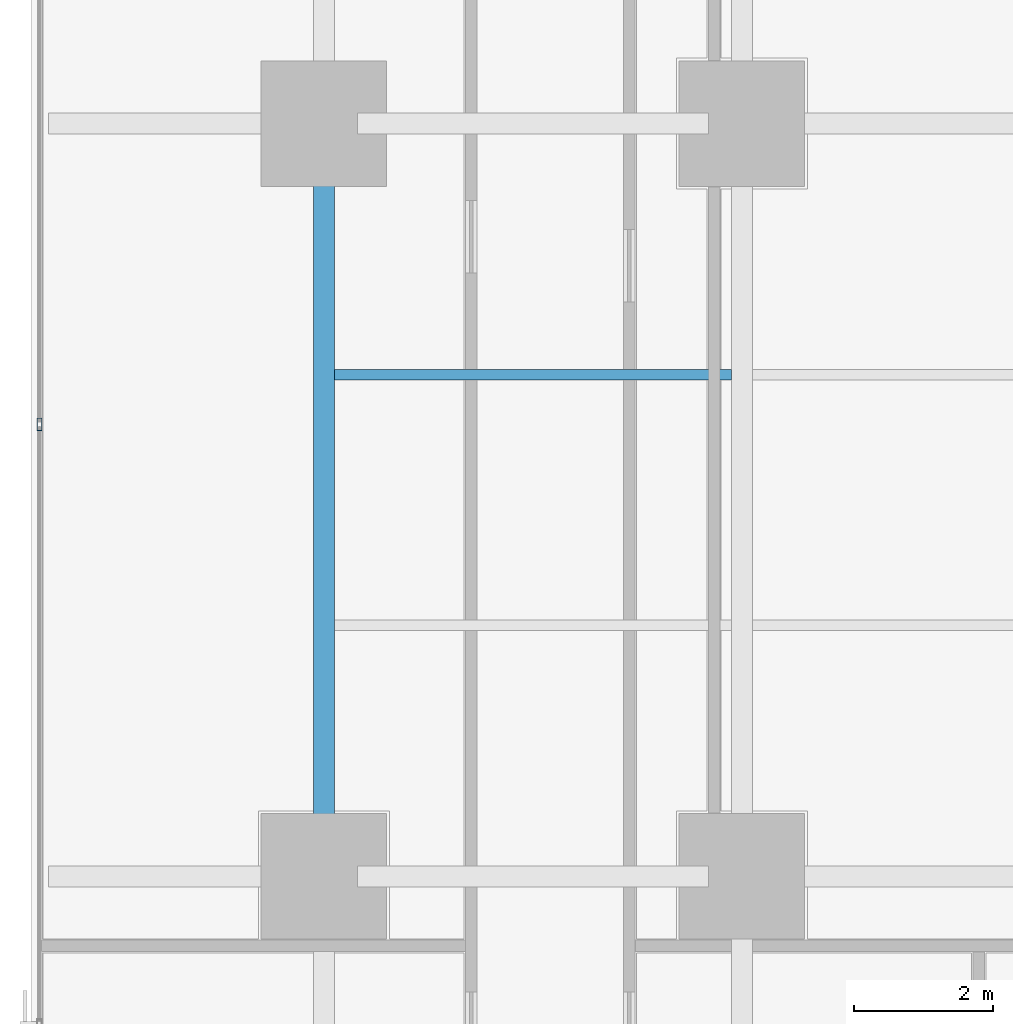
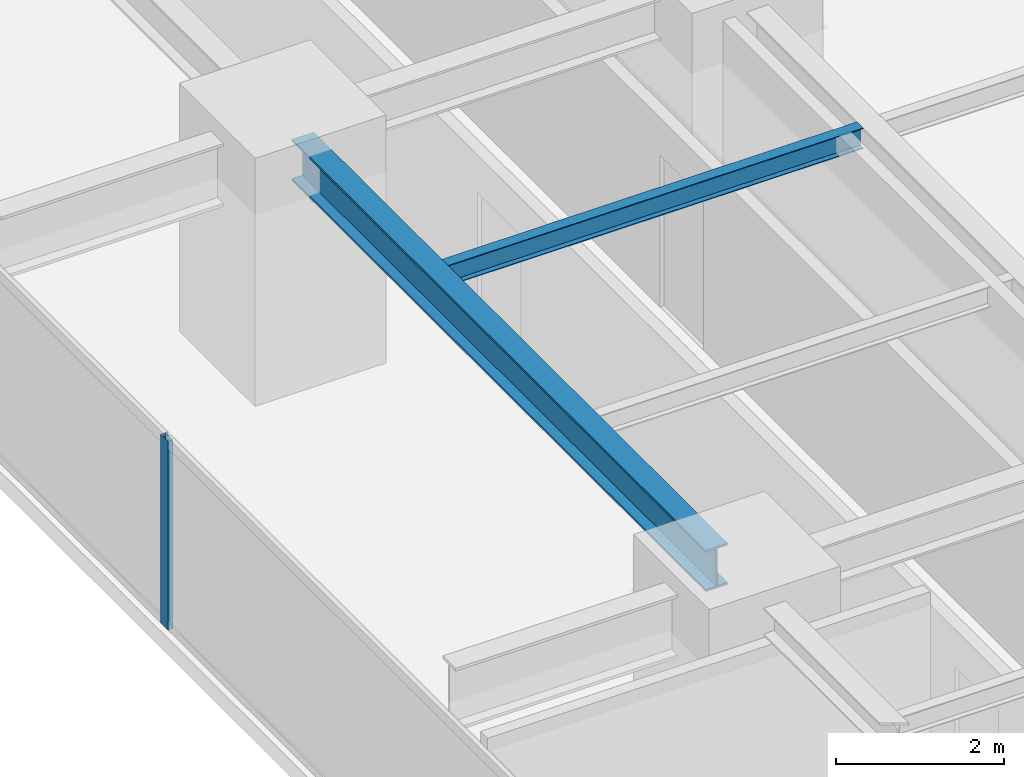
# One storey, part 7 of 34: 2 beams, 1 member, 1 element without a shape of its own.
"""IFC4 building model written with IfcOpenShell, lengths in metres."""

from ifc_helpers import new_model, si_unit, direction, frame, origin, origin_2d, place, context, subcontext, project, spatial, hollow_rectangle, i_section, extrude, source, transform, mapped, material, layer, layer_set, material_profile, profile_set, type_object, element, aggregate, save


model = new_model("IFC4")

# Units and contexts
model_context = context("Model", 3, precision=1e-05, world=origin(), true_north=direction((0.0, 1.0)))
body_context = subcontext(model_context, "Body", "Model", "MODEL_VIEW")
ifc_project = project(units=[si_unit("LENGTHUNIT", "METRE"), si_unit("AREAUNIT", "SQUARE_METRE"), si_unit("VOLUMEUNIT", "CUBIC_METRE"), si_unit("PLANEANGLEUNIT", "RADIAN"), si_unit("MASSUNIT", "GRAM", prefix="KILO")], contexts=[model_context])

# Site, building, storey
site_placement = place(None, origin())
site = spatial("IfcSite", under=ifc_project, at=site_placement, CompositionType="ELEMENT")
building_placement = place(site_placement, origin())
building = spatial("IfcBuilding", under=site, at=building_placement, Name="Sumidabori Civic Tower", CompositionType="ELEMENT")
storey_placement = place(building_placement, frame((0.0, 0.0, 56.0)))
storey = spatial("IfcBuildingStorey", under=building, at=storey_placement, Name="L14", CompositionType="ELEMENT", Elevation=56.0)

# Beams
ifc_material_1 = material(Name="Steel SN490", Category="steel")
ifc_material_profile_1 = material_profile(ifc_material_1, i_section(OverallWidth=0.300048828125, OverallDepth=0.60009765625, WebThickness=0.015380859375, FlangeThickness=0.030029296875, at=origin_2d()), Name="HE 600 B")
ifc_profile_set_1 = profile_set([ifc_material_profile_1], Name="Steel SN490")
beam_type_1 = type_object("IfcBeamType", Name="BM-GIRD-600", PredefinedType="BEAM", material=ifc_profile_set_1)
shared_shape_1 = source(origin(), body_context, "Body", "SweptSolid", [
    extrude(i_section(OverallWidth=0.300048828125, OverallDepth=0.60009765625, WebThickness=0.015380859375, FlangeThickness=0.030029296875, at=origin_2d()), origin(), (0.0, 0.0, 1.0), 9.840087890625),
])
beam_1_placement = place(storey_placement, frame((-22.800048828125, -10.320068359375, 3.06005859375), z_axis=(0.0, 1.0, 0.0), x_axis=(-1.0, 0.0, 0.0)))
element("IfcBeam", 1, at=beam_1_placement, inside=storey, type_object=beam_type_1, Name="Primary Girder L14 GY-22", PredefinedType="BEAM", context=body_context, shape_type="MappedRepresentation", body=[
    mapped(shared_shape_1, transform((0.0, 0.0, 0.0), x_axis=(1.0, 0.0, 0.0), y_axis=(0.0, 1.0, 0.0), z_axis=(0.0, 0.0, 1.0), scale=1.0)),
])
ifc_material_profile_2 = material_profile(ifc_material_1, i_section(OverallWidth=0.14990234375, OverallDepth=0.300048828125, WebThickness=0.007080078125, FlangeThickness=0.0107421875, at=origin_2d()), Name="IPE 300")
ifc_profile_set_2 = profile_set([ifc_material_profile_2], Name="Steel SN490")
beam_type_2 = type_object("IfcBeamType", Name="BM-JST-300", PredefinedType="JOIST", material=ifc_profile_set_2)
shared_shape_2 = source(origin(), body_context, "Body", "SweptSolid", [
    extrude(i_section(OverallWidth=0.14990234375, OverallDepth=0.300048828125, WebThickness=0.007080078125, FlangeThickness=0.0107421875, at=origin_2d()), origin(), (0.0, 0.0, 1.0), 5.699951171875),
])
beam_2_placement = place(storey_placement, frame((-22.64990234375, -3.60009765625, 3.2099609375), z_axis=(1.0, 0.0, 0.0), x_axis=(0.0, 1.0, 0.0)))
element("IfcBeam", 2, at=beam_2_placement, inside=storey, type_object=beam_type_2, Name="Outer Bay Floor Joist L14 JSTO-51", PredefinedType="JOIST", context=body_context, shape_type="MappedRepresentation", body=[
    mapped(shared_shape_2, transform((0.0, 0.0, 0.0), x_axis=(1.0, 0.0, 0.0), y_axis=(0.0, 1.0, 0.0), z_axis=(0.0, 0.0, 1.0), scale=1.0)),
])

# Curtain wall, member
ifc_material_2 = material(Name="Anodised Bronze Aluminium AW-6063-T6", Category="aluminium")
ifc_layer = layer(ifc_material_2, 0.179931640625, Name="Anodised Bronze Aluminium AW-6063-T6")
ifc_layer_set = layer_set([ifc_layer], Name="Anodised Bronze Aluminium AW-6063-T6")
curtain_wall_type = type_object("IfcCurtainWallType", Name="CW-SYS-2", PredefinedType="NOTDEFINED", material=ifc_layer_set)
curtain_wall_placement = place(storey_placement, origin())
curtain_wall = element("IfcCurtainWall", 3, at=curtain_wall_placement, inside=storey, type_object=curtain_wall_type, Name="Curtain Wall CW:L14:R10", PredefinedType="NOTDEFINED")
ifc_material_profile_3 = material_profile(ifc_material_2, hollow_rectangle(XDim=0.070068359375, YDim=0.179931640625, WallThickness=0.006103515625, at=origin_2d()), Name="ALU MULLION 180x70")
ifc_profile_set_3 = profile_set([ifc_material_profile_3], Name="Anodised Bronze Aluminium AW-6063-T6")
member_type = type_object("IfcMemberType", Name="CW-MUL-180", PredefinedType="MULLION", material=ifc_profile_set_3)
shared_shape_3 = source(origin(), body_context, "Body", "SweptSolid", [
    extrude(hollow_rectangle(XDim=0.070068359375, YDim=0.179931640625, WallThickness=0.006103515625, at=origin_2d()), origin(), (0.0, 0.0, 1.0), 2.739990234375),
])
member_placement = place(storey_placement, frame((-26.8798828125, -4.31396484375, 0.0), z_axis=(0.0, 0.0, 1.0), x_axis=(1.0, 0.0, 0.0)))
member = element("IfcMember", 4, at=member_placement, type_object=member_type, Name="CW-2 mullion 4", PredefinedType="MULLION", context=body_context, shape_type="MappedRepresentation", body=[
    mapped(shared_shape_3, transform((0.0, 0.0, 0.0), x_axis=(1.0, 0.0, 0.0), y_axis=(0.0, 1.0, 0.0), z_axis=(0.0, 0.0, 1.0), scale=1.0)),
])
aggregate(curtain_wall, [member])

save(model, "model.ifc")
